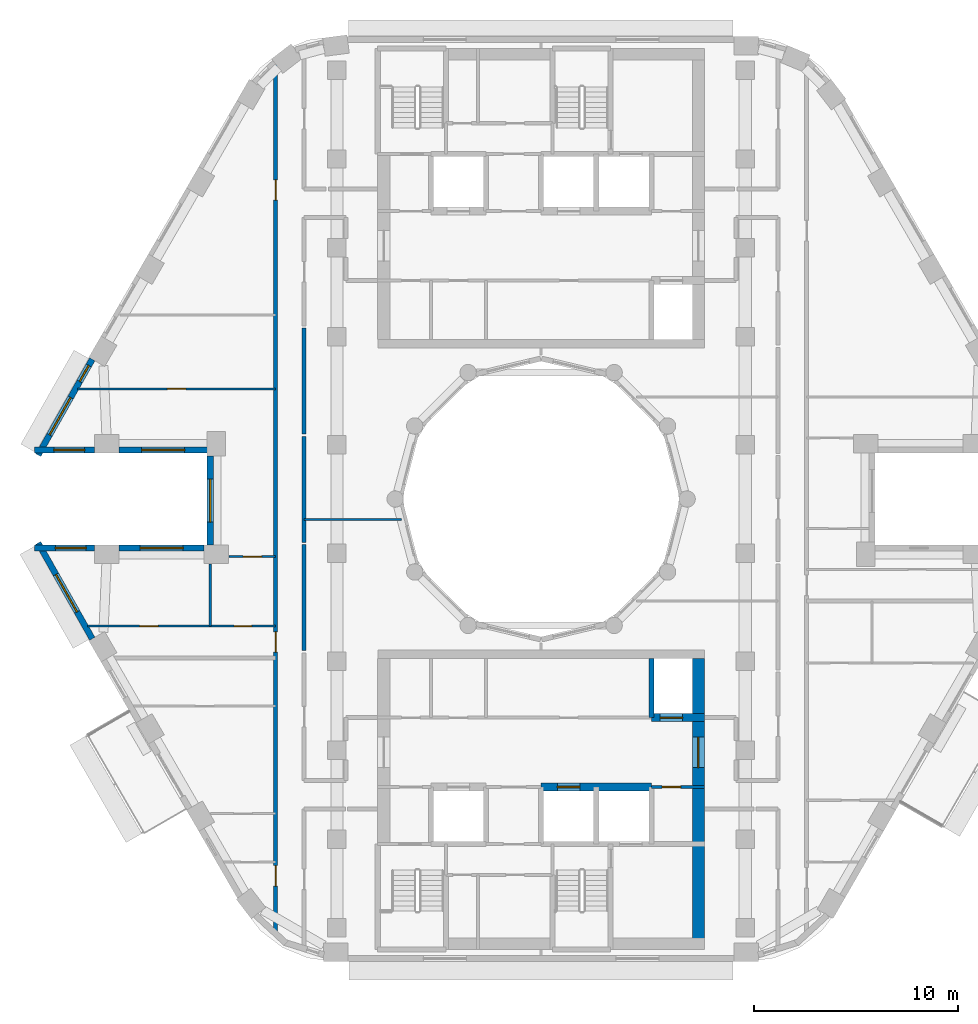
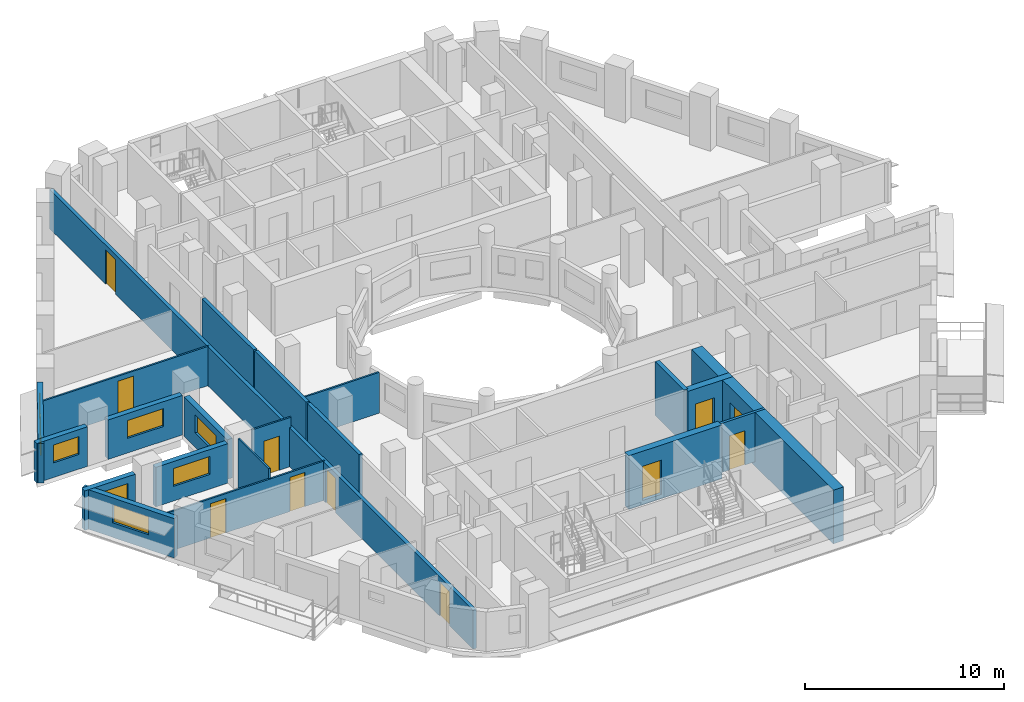
# One storey, part 4 of 15: 21 walls, 11 doors, 8 windows, 19 openings.
"""IFC4 building model written with IfcOpenShell, lengths in metres."""

from ifc_helpers import new_model, si_unit, direction, frame, frame_2d, origin, place, context, subcontext, project, spatial, rectangle, extrude, material, layer, layer_set, type_object, element, fill, save


model = new_model("IFC4")

# Units and contexts
model_context = context("Model", 3, precision=1e-05, world=origin(), true_north=direction((0.0, 1.0)))
body_context = subcontext(model_context, "Body", "Model", "MODEL_VIEW")
ifc_project = project(units=[si_unit("LENGTHUNIT", "METRE"), si_unit("AREAUNIT", "SQUARE_METRE"), si_unit("VOLUMEUNIT", "CUBIC_METRE"), si_unit("PLANEANGLEUNIT", "RADIAN"), si_unit("MASSUNIT", "GRAM", prefix="KILO")], contexts=[model_context])

# Site, building, storey
site_placement = place(None, origin())
site = spatial("IfcSite", under=ifc_project, at=site_placement, CompositionType="ELEMENT")
building_placement = place(site_placement, origin())
building = spatial("IfcBuilding", under=site, at=building_placement, Name="Nakaniwa Court", CompositionType="ELEMENT")
storey_placement = place(building_placement, frame((0.0, 0.0, 183.300048828125)))
storey = spatial("IfcBuildingStorey", under=building, at=storey_placement, Name="L47", CompositionType="ELEMENT", Elevation=183.300048828125)

# Walls
ifc_material_1 = material(Name="Acoustic double stud partition")
ifc_layer_1 = layer(ifc_material_1, 0.199951171875)
ifc_layer_set_1 = layer_set([ifc_layer_1], Name="Acoustic double stud partition")
wall_type_1 = type_object("IfcWallType", Name="Acoustic double stud partition 200", PredefinedType="PARTITIONING", material=ifc_layer_set_1)
for number, where, z_axis, x_axis, name in (
    (1, (68.39990234375, 72.5771484375, 0.0), (0.0, 0.0, 1.0), (0.0, 1.0, 0.0), "Partition PW-097"),
    (2, (68.39990234375, 77.877197265625, 0.0), (0.0, 0.0, 1.0), (0.0, 1.0, 0.0), "Partition PW-098"),
    (3, (68.39990234375, 83.17724609375, 0.0), (0.0, 0.0, 1.0), (0.0, 1.0, 0.0), "Partition PW-099"),
):
    element("IfcWall", number, at=place(storey_placement, frame(where, z_axis=z_axis, x_axis=x_axis)), inside=storey, type_object=wall_type_1, Name=name, PredefinedType="PARTITIONING", context=body_context, shape_type="SweptSolid", body=[
        extrude(rectangle(XDim=5.185546875, YDim=0.199951171875, at=frame_2d((2.5927734375, 0.0))), origin(), (0.0, 0.0, 1.0), 3.02490234375),
    ])

# Wall, openings, doors
wall_1_placement = place(storey_placement, frame((67.0, 58.67431640625, 0.0), z_axis=(0.0, 0.0, 1.0), x_axis=(0.0, 1.0, 0.0)))
wall_1 = element("IfcWall", 4, at=wall_1_placement, inside=storey, type_object=wall_type_1, Name="Partition PW-102", PredefinedType="PARTITIONING", context=body_context, shape_type="SweptSolid", body=[
    extrude(rectangle(XDim=42.591796875, YDim=0.199951171875, at=frame_2d((21.2958984375, 0.0))), origin(), (0.0, 0.0, 1.0), 2.405029296875),
])
opening_1_placement = place(wall_1_placement, frame((2.3759765625, 0.0, 0.0)))
opening_1 = element("IfcOpeningElement", 5, at=opening_1_placement, cuts=wall_1, Name="Opening D-01-03", PredefinedType="OPENING", context=body_context, shape_type="SweptSolid", body=[
    extrude(rectangle(XDim=1.0, YDim=2.10009765625, at=frame_2d((0.5, 1.050048828125))), frame((0.0, 0.10986328125, 0.0), z_axis=(0.0, -1.0, 0.0), x_axis=(1.0, 0.0, 0.0)), (0.0, 0.0, 1.0), 0.219970703125),
])
opening_2_placement = place(wall_1_placement, frame((13.825927734375, 0.0, 0.0)))
opening_2 = element("IfcOpeningElement", 6, at=opening_2_placement, cuts=wall_1, Name="Opening D-01-04", PredefinedType="OPENING", context=body_context, shape_type="SweptSolid", body=[
    extrude(rectangle(XDim=1.0, YDim=2.10009765625, at=frame_2d((0.5, 1.050048828125))), frame((0.0, 0.10986328125, 0.0), z_axis=(0.0, -1.0, 0.0), x_axis=(1.0, 0.0, 0.0)), (0.0, 0.0, 1.0), 0.219970703125),
])
opening_3_placement = place(wall_1_placement, frame((35.95703125, 0.0, 0.0)))
opening_3 = element("IfcOpeningElement", 7, at=opening_3_placement, cuts=wall_1, Name="Opening D-02-10", PredefinedType="OPENING", context=body_context, shape_type="SweptSolid", body=[
    extrude(rectangle(XDim=1.0, YDim=2.10009765625, at=frame_2d((0.5, 1.050048828125))), frame((0.0, 0.10986328125, 0.0), z_axis=(0.0, -1.0, 0.0), x_axis=(1.0, 0.0, 0.0)), (0.0, 0.0, 1.0), 0.219970703125),
])
ifc_material_2 = material(Name="Solid core timber door set, black veneer", Category="wood")
door_type_1 = type_object("IfcDoorType", Name="Flat entrance door 1000", OperationType="NOTDEFINED", PredefinedType="DOOR", material=ifc_material_2)
door_1_placement = place(opening_1_placement, origin())
door_1 = element("IfcDoor", 8, at=door_1_placement, inside=storey, type_object=door_type_1, Name="Door D-01-03 L47-037", OperationType="SINGLE_SWING_RIGHT", OverallHeight=2.10009765625, OverallWidth=1.0, PredefinedType="DOOR", context=body_context, shape_type="SweptSolid", body=[
    extrude(rectangle(XDim=1.0, YDim=2.10009765625, at=frame_2d((0.5, 1.050048828125))), frame((0.0, 0.02490234375, 0.0), z_axis=(0.0, -1.0, 0.0), x_axis=(1.0, 0.0, 0.0)), (0.0, 0.0, 1.0), 0.050048828125),
])
fill(opening_1, door_1)
door_2_placement = place(opening_2_placement, origin())
door_2 = element("IfcDoor", 9, at=door_2_placement, inside=storey, type_object=door_type_1, Name="Door D-01-04 L47-042", OperationType="SINGLE_SWING_LEFT", OverallHeight=2.10009765625, OverallWidth=1.0, PredefinedType="DOOR", context=body_context, shape_type="SweptSolid", body=[
    extrude(rectangle(XDim=1.0, YDim=2.10009765625, at=frame_2d((0.5, 1.050048828125))), frame((0.0, 0.02490234375, 0.0), z_axis=(0.0, -1.0, 0.0), x_axis=(1.0, 0.0, 0.0)), (0.0, 0.0, 1.0), 0.050048828125),
])
fill(opening_2, door_2)
door_type_2 = type_object("IfcDoorType", Name="Internal door 1000", OperationType="NOTDEFINED", PredefinedType="DOOR", material=ifc_material_2)
door_3_placement = place(opening_3_placement, origin())
door_3 = element("IfcDoor", 10, at=door_3_placement, inside=storey, type_object=door_type_2, Name="Door D-02-10 L47-050", OperationType="SINGLE_SWING_LEFT", OverallHeight=2.10009765625, OverallWidth=1.0, PredefinedType="DOOR", context=body_context, shape_type="SweptSolid", body=[
    extrude(rectangle(XDim=1.0, YDim=2.10009765625, at=frame_2d((0.5, 1.050048828125))), frame((0.0, 0.02490234375, 0.0), z_axis=(0.0, -1.0, 0.0), x_axis=(1.0, 0.0, 0.0)), (0.0, 0.0, 1.0), 0.050048828125),
])
fill(opening_3, door_3)

# Wall, openings, windows
ifc_material_3 = material(Name="Charcoal ceramic cladding")
ifc_layer_2 = layer(ifc_material_3, 0.02, Name="Ceramic cladding")
ifc_material_4 = material(Name="Ventilated air cavity")
ifc_layer_3 = layer(ifc_material_4, 0.04, ventilated=True, Name="Ventilated cavity")
ifc_material_5 = material(Name="Mineral wool insulation")
ifc_layer_4 = layer(ifc_material_5, 0.1, Name="Insulation")
ifc_material_6 = material(Name="Cement bonded sheathing board")
ifc_layer_5 = layer(ifc_material_6, 0.012, Name="Sheathing")
ifc_material_7 = material(Name="Cold-formed galvanised stud frame with mineral wool infill")
ifc_layer_6 = layer(ifc_material_7, 0.1, Name="Stud frame")
ifc_material_8 = material(Name="Fire-rated gypsum plasterboard lining")
ifc_layer_7 = layer(ifc_material_8, 0.028, Name="Lining")
ifc_layer_set_2 = layer_set([ifc_layer_2, ifc_layer_3, ifc_layer_4, ifc_layer_5, ifc_layer_6, ifc_layer_7], Name="Charcoal ceramic faced external wall system")
wall_type_2 = type_object("IfcWallType", Name="Black ceramic faced external wall 300", PredefinedType="SOLIDWALL", material=ifc_layer_set_2)
wall_2_placement = place(storey_placement, frame((58.023193359375, 86.843017578125, 0.0), z_axis=(0.0, 0.0, 1.0), x_axis=(-0.492033360928, -0.870576344575, 0.0)))
wall_2 = element("IfcWall", 11, at=wall_2_placement, inside=storey, type_object=wall_type_2, Name="L47 external wall 14", PredefinedType="SOLIDWALL", context=body_context, shape_type="SweptSolid", body=[
    extrude(rectangle(XDim=5.38671875, YDim=0.300048828125, at=frame_2d((2.693359375, 0.0))), origin(), (0.0, 0.0, 1.0), 2.425048828125),
])
opening_4_placement = place(wall_2_placement, frame((0.346923828125, 0.0, 0.89990234375)))
opening_4 = element("IfcOpeningElement", 12, at=opening_4_placement, cuts=wall_2, Name="Opening W9.16", PredefinedType="OPENING", context=body_context, shape_type="SweptSolid", body=[
    extrude(rectangle(XDim=0.89990234375, YDim=1.10009765625, at=frame_2d((0.449951171875, 0.550048828125))), frame((0.0, 0.159912109375, 0.0), z_axis=(0.0, -1.0, 0.0), x_axis=(1.0, 0.0, 0.0)), (0.0, 0.0, 1.0), 0.320068359375),
])
opening_5_placement = place(wall_2_placement, frame((2.15185546875, 0.0, 0.89990234375)))
opening_5 = element("IfcOpeningElement", 13, at=opening_5_placement, cuts=wall_2, Name="Opening W7.17", PredefinedType="OPENING", context=body_context, shape_type="SweptSolid", body=[
    extrude(rectangle(XDim=2.10009765625, YDim=1.10009765625, at=frame_2d((1.050048828125, 0.550048828125))), frame((0.0, 0.159912109375, 0.0), z_axis=(0.0, -1.0, 0.0), x_axis=(1.0, 0.0, 0.0)), (0.0, 0.0, 1.0), 0.320068359375),
])
ifc_material_9 = material(Name="Black anodised aluminium frame with dark low-E laminated double glazing", Category="aluminium")
window_type_1 = type_object("IfcWindowType", Name="Dark glass window 2100x1100 sill 900", PartitioningType="SINGLE_PANEL", PredefinedType="WINDOW", material=ifc_material_9)
window_1_placement = place(opening_5_placement, origin())
window_1 = element("IfcWindow", 14, at=window_1_placement, inside=storey, type_object=window_type_1, Name="L47 living window 14-1", OverallHeight=1.10009765625, OverallWidth=2.10009765625, PartitioningType="SINGLE_PANEL", PredefinedType="WINDOW", context=body_context, shape_type="SweptSolid", body=[
    extrude(rectangle(XDim=2.10009765625, YDim=1.10009765625, at=frame_2d((1.050048828125, 0.550048828125))), frame((0.0, 0.030029296875, 0.0), z_axis=(0.0, -1.0, 0.0), x_axis=(1.0, 0.0, 0.0)), (0.0, 0.0, 1.0), 0.06005859375),
])
fill(opening_5, window_1)
window_type_2 = type_object("IfcWindowType", Name="Dark glass window 900x1100 sill 900", PartitioningType="SINGLE_PANEL", PredefinedType="WINDOW", material=ifc_material_9)
window_2_placement = place(opening_4_placement, origin())
window_2 = element("IfcWindow", 15, at=window_2_placement, inside=storey, type_object=window_type_2, Name="L47 habitable room window 14-0", OverallHeight=1.10009765625, OverallWidth=0.89990234375, PartitioningType="SINGLE_PANEL", PredefinedType="WINDOW", context=body_context, shape_type="SweptSolid", body=[
    extrude(rectangle(XDim=0.89990234375, YDim=1.10009765625, at=frame_2d((0.449951171875, 0.550048828125))), frame((0.0, 0.030029296875, 0.0), z_axis=(0.0, -1.0, 0.0), x_axis=(1.0, 0.0, 0.0)), (0.0, 0.0, 1.0), 0.06005859375),
])
fill(opening_4, window_2)

# Wall, opening, window
wall_3_placement = place(storey_placement, frame((55.2021484375, 82.39990234375, 0.0), z_axis=(0.0, 0.0, 1.0), x_axis=(1.0, 0.0, 0.0)))
wall_3 = element("IfcWall", 16, at=wall_3_placement, inside=storey, type_object=wall_type_2, Name="L47 external wall 15", PredefinedType="SOLIDWALL", context=body_context, shape_type="SweptSolid", body=[
    extrude(rectangle(XDim=2.937744140625, YDim=0.300048828125, at=frame_2d((1.46875, 0.0))), origin(), (0.0, 0.0, 1.0), 2.425048828125),
])
opening_6_placement = place(wall_3_placement, frame((0.944091796875, 0.0, 0.89990234375)))
opening_6 = element("IfcOpeningElement", 17, at=opening_6_placement, cuts=wall_3, Name="Opening W5.18", PredefinedType="OPENING", context=body_context, shape_type="SweptSolid", body=[
    extrude(rectangle(XDim=1.5, YDim=1.10009765625, at=frame_2d((0.75, 0.550048828125))), frame((0.0, 0.159912109375, 0.0), z_axis=(0.0, -1.0, 0.0), x_axis=(1.0, 0.0, 0.0)), (0.0, 0.0, 1.0), 0.320068359375),
])
window_type_3 = type_object("IfcWindowType", Name="Dark glass window 1500x1100 sill 900", PartitioningType="SINGLE_PANEL", PredefinedType="WINDOW", material=ifc_material_9)
window_3_placement = place(opening_6_placement, origin())
window_3 = element("IfcWindow", 18, at=window_3_placement, inside=storey, type_object=window_type_3, Name="L47 living window 15-0", OverallHeight=1.10009765625, OverallWidth=1.5, PartitioningType="SINGLE_PANEL", PredefinedType="WINDOW", context=body_context, shape_type="SweptSolid", body=[
    extrude(rectangle(XDim=1.5, YDim=1.10009765625, at=frame_2d((0.75, 0.550048828125))), frame((0.0, 0.030029296875, 0.0), z_axis=(0.0, -1.0, 0.0), x_axis=(1.0, 0.0, 0.0)), (0.0, 0.0, 1.0), 0.06005859375),
])
fill(opening_6, window_3)

wall_4_placement = place(storey_placement, frame((59.33203125, 82.39990234375, 0.0), z_axis=(0.0, 0.0, 1.0), x_axis=(1.0, 0.0, 0.0)))
wall_4 = element("IfcWall", 19, at=wall_4_placement, inside=storey, type_object=wall_type_2, Name="L47 external wall 16", PredefinedType="SOLIDWALL", context=body_context, shape_type="SweptSolid", body=[
    extrude(rectangle(XDim=4.322509765625, YDim=0.300048828125, at=frame_2d((2.1611328125, 0.0))), origin(), (0.0, 0.0, 1.0), 2.425048828125),
])
opening_7_placement = place(wall_4_placement, frame((1.111083984375, 0.0, 0.89990234375)))
opening_7 = element("IfcOpeningElement", 20, at=opening_7_placement, cuts=wall_4, Name="Opening W7.19", PredefinedType="OPENING", context=body_context, shape_type="SweptSolid", body=[
    extrude(rectangle(XDim=2.10009765625, YDim=1.10009765625, at=frame_2d((1.050048828125, 0.550048828125))), frame((0.0, 0.159912109375, 0.0), z_axis=(0.0, -1.0, 0.0), x_axis=(1.0, 0.0, 0.0)), (0.0, 0.0, 1.0), 0.320068359375),
])
window_4_placement = place(opening_7_placement, origin())
window_4 = element("IfcWindow", 21, at=window_4_placement, inside=storey, type_object=window_type_1, Name="L47 living window 16-0", OverallHeight=1.10009765625, OverallWidth=2.10009765625, PartitioningType="SINGLE_PANEL", PredefinedType="WINDOW", context=body_context, shape_type="SweptSolid", body=[
    extrude(rectangle(XDim=2.10009765625, YDim=1.10009765625, at=frame_2d((1.050048828125, 0.550048828125))), frame((0.0, 0.030029296875, 0.0), z_axis=(0.0, -1.0, 0.0), x_axis=(1.0, 0.0, 0.0)), (0.0, 0.0, 1.0), 0.06005859375),
])
fill(opening_7, window_4)

wall_5_placement = place(storey_placement, frame((63.800537109375, 82.10400390625, 0.0), z_axis=(0.0, 0.0, 1.0), x_axis=(0.0, -1.0, 0.0)))
wall_5 = element("IfcWall", 22, at=wall_5_placement, inside=storey, type_object=wall_type_2, Name="L47 external wall 17", PredefinedType="SOLIDWALL", context=body_context, shape_type="SweptSolid", body=[
    extrude(rectangle(XDim=4.35791015625, YDim=0.300048828125, at=frame_2d((2.178955078125, 0.0))), origin(), (0.0, 0.0, 1.0), 2.425048828125),
])
opening_8_placement = place(wall_5_placement, frame((1.12890625, 0.0, 0.89990234375)))
opening_8 = element("IfcOpeningElement", 23, at=opening_8_placement, cuts=wall_5, Name="Opening W7.20", PredefinedType="OPENING", context=body_context, shape_type="SweptSolid", body=[
    extrude(rectangle(XDim=2.10009765625, YDim=1.10009765625, at=frame_2d((1.050048828125, 0.550048828125))), frame((0.0, 0.159912109375, 0.0), z_axis=(0.0, -1.0, 0.0), x_axis=(1.0, 0.0, 0.0)), (0.0, 0.0, 1.0), 0.320068359375),
])
window_5_placement = place(opening_8_placement, origin())
window_5 = element("IfcWindow", 24, at=window_5_placement, inside=storey, type_object=window_type_1, Name="L47 living window 17-0", OverallHeight=1.10009765625, OverallWidth=2.10009765625, PartitioningType="SINGLE_PANEL", PredefinedType="WINDOW", context=body_context, shape_type="SweptSolid", body=[
    extrude(rectangle(XDim=2.10009765625, YDim=1.10009765625, at=frame_2d((1.050048828125, 0.550048828125))), frame((0.0, 0.030029296875, 0.0), z_axis=(0.0, -1.0, 0.0), x_axis=(1.0, 0.0, 0.0)), (0.0, 0.0, 1.0), 0.06005859375),
])
fill(opening_8, window_5)

wall_6_placement = place(storey_placement, frame((63.50439453125, 77.60009765625, 0.0), z_axis=(0.0, 0.0, 1.0), x_axis=(-1.0, 0.0, 0.0)))
wall_6 = element("IfcWall", 25, at=wall_6_placement, inside=storey, type_object=wall_type_2, Name="L47 external wall 18", PredefinedType="SOLIDWALL", context=body_context, shape_type="SweptSolid", body=[
    extrude(rectangle(XDim=4.17236328125, YDim=0.300048828125, at=frame_2d((2.086181640625, 0.0))), origin(), (0.0, 0.0, 1.0), 2.425048828125),
])
opening_9_placement = place(wall_6_placement, frame((1.036376953125, 0.0, 0.89990234375)))
opening_9 = element("IfcOpeningElement", 26, at=opening_9_placement, cuts=wall_6, Name="Opening W7.21", PredefinedType="OPENING", context=body_context, shape_type="SweptSolid", body=[
    extrude(rectangle(XDim=2.10009765625, YDim=1.10009765625, at=frame_2d((1.050048828125, 0.550048828125))), frame((0.0, 0.159912109375, 0.0), z_axis=(0.0, -1.0, 0.0), x_axis=(1.0, 0.0, 0.0)), (0.0, 0.0, 1.0), 0.320068359375),
])
window_6_placement = place(opening_9_placement, origin())
window_6 = element("IfcWindow", 27, at=window_6_placement, inside=storey, type_object=window_type_1, Name="L47 habitable room window 18-0", OverallHeight=1.10009765625, OverallWidth=2.10009765625, PartitioningType="SINGLE_PANEL", PredefinedType="WINDOW", context=body_context, shape_type="SweptSolid", body=[
    extrude(rectangle(XDim=2.10009765625, YDim=1.10009765625, at=frame_2d((1.050048828125, 0.550048828125))), frame((0.0, 0.030029296875, 0.0), z_axis=(0.0, -1.0, 0.0), x_axis=(1.0, 0.0, 0.0)), (0.0, 0.0, 1.0), 0.06005859375),
])
fill(opening_9, window_6)

wall_7_placement = place(storey_placement, frame((58.139892578125, 77.60009765625, 0.0), z_axis=(0.0, 0.0, 1.0), x_axis=(-1.0, 0.0, 0.0)))
wall_7 = element("IfcWall", 28, at=wall_7_placement, inside=storey, type_object=wall_type_2, Name="L47 external wall 19", PredefinedType="SOLIDWALL", context=body_context, shape_type="SweptSolid", body=[
    extrude(rectangle(XDim=2.937744140625, YDim=0.300048828125, at=frame_2d((1.46875, 0.0))), origin(), (0.0, 0.0, 1.0), 2.425048828125),
])
opening_10_placement = place(wall_7_placement, frame((0.42041015625, 0.0, 0.89990234375)))
opening_10 = element("IfcOpeningElement", 29, at=opening_10_placement, cuts=wall_7, Name="Opening W5.22", PredefinedType="OPENING", context=body_context, shape_type="SweptSolid", body=[
    extrude(rectangle(XDim=1.5, YDim=1.10009765625, at=frame_2d((0.75, 0.550048828125))), frame((0.0, 0.159912109375, 0.0), z_axis=(0.0, -1.0, 0.0), x_axis=(1.0, 0.0, 0.0)), (0.0, 0.0, 1.0), 0.320068359375),
])
window_7_placement = place(opening_10_placement, origin())
window_7 = element("IfcWindow", 30, at=window_7_placement, inside=storey, type_object=window_type_3, Name="L47 habitable room window 19-0", OverallHeight=1.10009765625, OverallWidth=1.5, PartitioningType="SINGLE_PANEL", PredefinedType="WINDOW", context=body_context, shape_type="SweptSolid", body=[
    extrude(rectangle(XDim=1.5, YDim=1.10009765625, at=frame_2d((0.75, 0.550048828125))), frame((0.0, 0.030029296875, 0.0), z_axis=(0.0, -1.0, 0.0), x_axis=(1.0, 0.0, 0.0)), (0.0, 0.0, 1.0), 0.06005859375),
])
fill(opening_10, window_7)

wall_8_placement = place(storey_placement, frame((55.372802734375, 77.846435546875, 0.0), z_axis=(0.0, 0.0, 1.0), x_axis=(0.492033360928, -0.870576344575, 0.0)))
wall_8 = element("IfcWall", 31, at=wall_8_placement, inside=storey, type_object=wall_type_2, Name="L47 external wall 20", PredefinedType="SOLIDWALL", context=body_context, shape_type="SweptSolid", body=[
    extrude(rectangle(XDim=5.38671875, YDim=0.300048828125, at=frame_2d((2.693359375, 0.0))), origin(), (0.0, 0.0, 1.0), 2.425048828125),
])
opening_11_placement = place(wall_8_placement, frame((1.77001953125, 0.0, 0.89990234375)))
opening_11 = element("IfcOpeningElement", 32, at=opening_11_placement, cuts=wall_8, Name="Opening W7.23", PredefinedType="OPENING", context=body_context, shape_type="SweptSolid", body=[
    extrude(rectangle(XDim=2.10009765625, YDim=1.10009765625, at=frame_2d((1.050048828125, 0.550048828125))), frame((0.0, 0.159912109375, 0.0), z_axis=(0.0, -1.0, 0.0), x_axis=(1.0, 0.0, 0.0)), (0.0, 0.0, 1.0), 0.320068359375),
])
window_8_placement = place(opening_11_placement, origin())
window_8 = element("IfcWindow", 33, at=window_8_placement, inside=storey, type_object=window_type_1, Name="L47 habitable room window 20-0", OverallHeight=1.10009765625, OverallWidth=2.10009765625, PartitioningType="SINGLE_PANEL", PredefinedType="WINDOW", context=body_context, shape_type="SweptSolid", body=[
    extrude(rectangle(XDim=2.10009765625, YDim=1.10009765625, at=frame_2d((1.050048828125, 0.550048828125))), frame((0.0, 0.030029296875, 0.0), z_axis=(0.0, -1.0, 0.0), x_axis=(1.0, 0.0, 0.0)), (0.0, 0.0, 1.0), 0.06005859375),
])
fill(opening_11, window_8)

# Wall, opening, door
ifc_material_10 = material(Name="Blockwork partition", Category="masonry")
ifc_layer_8 = layer(ifc_material_10, 0.14990234375)
ifc_layer_set_3 = layer_set([ifc_layer_8], Name="Blockwork partition")
wall_type_3 = type_object("IfcWallType", Name="Blockwork partition 150", PredefinedType="PARTITIONING", material=ifc_layer_set_3)
wall_9_placement = place(storey_placement, frame((88.0, 65.89990234375, 0.0), z_axis=(0.0, 0.0, 1.0), x_axis=(-1.0, 0.0, 0.0)))
wall_9 = element("IfcWall", 34, at=wall_9_placement, inside=storey, type_object=wall_type_3, Name="Partition PW-044", PredefinedType="PARTITIONING", context=body_context, shape_type="SweptSolid", body=[
    extrude(rectangle(XDim=2.60302734375, YDim=0.14990234375, at=frame_2d((1.301513671875, 0.0))), origin(), (0.0, 0.0, 1.0), 3.02490234375),
])
opening_12_placement = place(wall_9_placement, frame((1.175048828125, 0.0, 0.0)))
opening_12 = element("IfcOpeningElement", 35, at=opening_12_placement, cuts=wall_9, Name="Opening D-05-10", PredefinedType="OPENING", context=body_context, shape_type="SweptSolid", body=[
    extrude(rectangle(XDim=0.89990234375, YDim=2.10009765625, at=frame_2d((0.449951171875, 1.050048828125))), frame((0.0, 0.0849609375, 0.0), z_axis=(0.0, -1.0, 0.0), x_axis=(1.0, 0.0, 0.0)), (0.0, 0.0, 1.0), 0.169921875),
])
ifc_material_11 = material(Name="Fire rated steel door set", Category="steel")
door_type_3 = type_object("IfcDoorType", Name="Service room door 900", OperationType="NOTDEFINED", PredefinedType="DOOR", material=ifc_material_11)
door_4_placement = place(opening_12_placement, origin())
door_4 = element("IfcDoor", 36, at=door_4_placement, inside=storey, type_object=door_type_3, Name="Door D-05-10 L47-017", OperationType="SINGLE_SWING_RIGHT", OverallHeight=2.10009765625, OverallWidth=0.89990234375, PredefinedType="DOOR", context=body_context, shape_type="SweptSolid", body=[
    extrude(rectangle(XDim=0.89990234375, YDim=2.10009765625, at=frame_2d((0.449951171875, 1.050048828125))), frame((0.0, 0.02490234375, 0.0), z_axis=(0.0, -1.0, 0.0), x_axis=(1.0, 0.0, 0.0)), (0.0, 0.0, 1.0), 0.050048828125),
])
fill(opening_12, door_4)

ifc_material_12 = material(Name="Concrete C80/100", Category="concrete")
ifc_layer_9 = layer(ifc_material_12, 0.60009765625)
ifc_layer_set_4 = layer_set([ifc_layer_9], Name="Concrete C80/100")
wall_type_4 = type_object("IfcWallType", Name="Concrete core side wall 600 C80", PredefinedType="SHEAR", material=ifc_layer_set_4)
wall_10_placement = place(storey_placement, frame((87.699951171875, 72.199951171875, -0.275146484375), z_axis=(0.0, 0.0, 1.0), x_axis=(0.0, -1.0, 0.0)))
wall_10 = element("IfcWall", 37, at=wall_10_placement, inside=storey, type_object=wall_type_4, Name="Core wall SW-40", PredefinedType="SHEAR", context=body_context, shape_type="SweptSolid", body=[
    extrude(rectangle(XDim=14.25, YDim=0.60009765625, at=frame_2d((7.125, 0.0))), origin(), (0.0, 0.0, 1.0), 3.300048828125),
])
opening_13_placement = place(wall_10_placement, frame((3.85205078125, 0.0, 0.27490234375)))
opening_13 = element("IfcOpeningElement", 38, at=opening_13_placement, cuts=wall_10, Name="Opening D-07-03", PredefinedType="OPENING", context=body_context, shape_type="SweptSolid", body=[
    extrude(rectangle(XDim=1.5, YDim=2.10009765625, at=frame_2d((0.75, 1.050048828125))), frame((0.0, 0.31005859375, 0.0), z_axis=(0.0, -1.0, 0.0), x_axis=(1.0, 0.0, 0.0)), (0.0, 0.0, 1.0), 0.6201171875),
])
ifc_material_13 = material(Name="Glazed fire rated steel double door set", Category="steel")
door_type_4 = type_object("IfcDoorType", Name="Lobby double door 1500", OperationType="NOTDEFINED", PredefinedType="DOOR", material=ifc_material_13)
door_5_placement = place(opening_13_placement, origin())
door_5 = element("IfcDoor", 39, at=door_5_placement, inside=storey, type_object=door_type_4, Name="Door D-07-03 L47-054", OperationType="DOUBLE_DOOR_SINGLE_SWING", OverallHeight=2.10009765625, OverallWidth=1.5, PredefinedType="DOOR", context=body_context, shape_type="SweptSolid", body=[
    extrude(rectangle(XDim=1.5, YDim=2.10009765625, at=frame_2d((0.75, 1.050048828125))), frame((0.0, 0.02490234375, 0.0), z_axis=(0.0, -1.0, 0.0), x_axis=(1.0, 0.0, 0.0)), (0.0, 0.0, 1.0), 0.050048828125),
])
fill(opening_13, door_5)

ifc_layer_10 = layer(ifc_material_12, 0.39990234375)
ifc_layer_set_5 = layer_set([ifc_layer_10], Name="Concrete C80/100")
wall_type_5 = type_object("IfcWallType", Name="Concrete core spine wall 400 C80", PredefinedType="SHEAR", material=ifc_layer_set_5)
wall_11_placement = place(storey_placement, frame((85.39990234375, 69.300048828125, -0.275146484375), z_axis=(0.0, 0.0, 1.0), x_axis=(1.0, 0.0, 0.0)))
wall_11 = element("IfcWall", 40, at=wall_11_placement, inside=storey, type_object=wall_type_5, Name="Core wall SW-39", PredefinedType="SHEAR", context=body_context, shape_type="SweptSolid", body=[
    extrude(rectangle(XDim=2.60009765625, YDim=0.39990234375, at=frame_2d((1.300048828125, 0.0))), origin(), (0.0, 0.0, 1.0), 3.300048828125),
])
opening_14_placement = place(wall_11_placement, frame((0.425048828125, 0.0, 0.27490234375)))
opening_14 = element("IfcOpeningElement", 41, at=opening_14_placement, cuts=wall_11, Name="Opening LD05", PredefinedType="OPENING", context=body_context, shape_type="SweptSolid", body=[
    extrude(rectangle(XDim=1.10009765625, YDim=2.10009765625, at=frame_2d((0.550048828125, 1.050048828125))), frame((0.0, 0.2099609375, 0.0), z_axis=(0.0, -1.0, 0.0), x_axis=(1.0, 0.0, 0.0)), (0.0, 0.0, 1.0), 0.419921875),
])
ifc_material_14 = material(Name="Stainless steel sliding lift landing door", Category="steel")
door_type_5 = type_object("IfcDoorType", Name="Lift landing door 1100", OperationType="NOTDEFINED", PredefinedType="DOOR", material=ifc_material_14)
door_6_placement = place(opening_14_placement, origin())
door_6 = element("IfcDoor", 42, at=door_6_placement, inside=storey, type_object=door_type_5, Name="Lift landing door LD05 L47-005", OperationType="SLIDING_TO_LEFT", OverallHeight=2.10009765625, OverallWidth=1.10009765625, PredefinedType="DOOR", context=body_context, shape_type="SweptSolid", body=[
    extrude(rectangle(XDim=1.10009765625, YDim=2.10009765625, at=frame_2d((0.550048828125, 1.050048828125))), frame((0.0, 0.02490234375, 0.0), z_axis=(0.0, -1.0, 0.0), x_axis=(1.0, 0.0, 0.0)), (0.0, 0.0, 1.0), 0.050048828125),
])
fill(opening_14, door_6)

wall_12_placement = place(storey_placement, frame((79.9970703125, 65.89990234375, -0.275146484375), z_axis=(0.0, 0.0, 1.0), x_axis=(1.0, 0.0, 0.0)))
wall_12 = element("IfcWall", 43, at=wall_12_placement, inside=storey, type_object=wall_type_5, Name="Core wall SW-46", PredefinedType="SHEAR", context=body_context, shape_type="SweptSolid", body=[
    extrude(rectangle(XDim=5.406005859375, YDim=0.39990234375, at=frame_2d((2.703125, 0.0))), origin(), (0.0, 0.0, 1.0), 3.300048828125),
])
opening_15_placement = place(wall_12_placement, frame((0.802978515625, 0.0, 0.27490234375)))
opening_15 = element("IfcOpeningElement", 44, at=opening_15_placement, cuts=wall_12, Name="Opening LD07", PredefinedType="OPENING", context=body_context, shape_type="SweptSolid", body=[
    extrude(rectangle(XDim=1.10009765625, YDim=2.10009765625, at=frame_2d((0.550048828125, 1.050048828125))), frame((0.0, 0.2099609375, 0.0), z_axis=(0.0, -1.0, 0.0), x_axis=(1.0, 0.0, 0.0)), (0.0, 0.0, 1.0), 0.419921875),
])
door_7_placement = place(opening_15_placement, origin())
door_7 = element("IfcDoor", 45, at=door_7_placement, inside=storey, type_object=door_type_5, Name="Lift landing door LD07 L47-007", OperationType="SLIDING_TO_LEFT", OverallHeight=2.10009765625, OverallWidth=1.10009765625, PredefinedType="DOOR", context=body_context, shape_type="SweptSolid", body=[
    extrude(rectangle(XDim=1.10009765625, YDim=2.10009765625, at=frame_2d((0.550048828125, 1.050048828125))), frame((0.0, 0.02490234375, 0.0), z_axis=(0.0, -1.0, 0.0), x_axis=(1.0, 0.0, 0.0)), (0.0, 0.0, 1.0), 0.050048828125),
])
fill(opening_15, door_7)

# Walls
ifc_layer_11 = layer(ifc_material_12, 0.25)
ifc_layer_set_6 = layer_set([ifc_layer_11], Name="Concrete C80/100")
wall_type_6 = type_object("IfcWallType", Name="Concrete shaft wall 250 C80", PredefinedType="SHEAR", material=ifc_layer_set_6)
wall_13_placement = place(storey_placement, frame((85.39990234375, 69.300048828125, -0.275146484375), z_axis=(0.0, 0.0, 1.0), x_axis=(0.0, 1.0, 0.0)))
element("IfcWall", 46, at=wall_13_placement, inside=storey, type_object=wall_type_6, Name="Core wall SW-38", PredefinedType="SHEAR", context=body_context, shape_type="SweptSolid", body=[
    extrude(rectangle(XDim=2.89990234375, YDim=0.25, at=frame_2d((1.449951171875, 0.0))), origin(), (0.0, 0.0, 1.0), 3.300048828125),
])
ifc_material_15 = material(Name="Single stud plasterboard partition")
ifc_layer_12 = layer(ifc_material_15, 0.10009765625)
ifc_layer_set_7 = layer_set([ifc_layer_12], Name="Single stud plasterboard partition")
wall_type_7 = type_object("IfcWallType", Name="Single stud plasterboard partition 100", PredefinedType="PARTITIONING", material=ifc_layer_set_7)
wall_14_placement = place(storey_placement, frame((68.40087890625, 79.0, 0.0), z_axis=(0.0, 0.0, 1.0), x_axis=(1.0, 0.0, 0.0)))
element("IfcWall", 47, at=wall_14_placement, inside=storey, type_object=wall_type_7, Name="Partition PW-126", PredefinedType="PARTITIONING", context=body_context, shape_type="SweptSolid", body=[
    extrude(rectangle(XDim=4.765869140625, YDim=0.10009765625, at=frame_2d((2.3828125, 0.0))), origin(), (0.0, 0.0, 1.0), 2.5048828125),
])

# Wall, openings, doors
wall_15_placement = place(storey_placement, frame((57.786376953125, 73.77490234375, 0.0), z_axis=(0.0, 0.0, 1.0), x_axis=(1.0, 0.0, 0.0)))
wall_15 = element("IfcWall", 48, at=wall_15_placement, inside=storey, type_object=wall_type_7, Name="Partition PW-127", PredefinedType="PARTITIONING", context=body_context, shape_type="SweptSolid", body=[
    extrude(rectangle(XDim=9.212646484375, YDim=0.10009765625, at=frame_2d((4.6064453125, 0.0))), origin(), (0.0, 0.0, 1.0), 2.405029296875),
])
opening_16_placement = place(wall_15_placement, frame((7.18798828125, 0.0, 0.0)))
opening_16 = element("IfcOpeningElement", 49, at=opening_16_placement, cuts=wall_15, Name="Opening D-03-04", PredefinedType="OPENING", context=body_context, shape_type="SweptSolid", body=[
    extrude(rectangle(XDim=0.85009765625, YDim=2.10009765625, at=frame_2d((0.425048828125, 1.050048828125))), frame((0.0, 0.06005859375, 0.0), z_axis=(0.0, -1.0, 0.0), x_axis=(1.0, 0.0, 0.0)), (0.0, 0.0, 1.0), 0.1201171875),
])
opening_17_placement = place(wall_15_placement, frame((2.555908203125, 0.0, 0.0)))
opening_17 = element("IfcOpeningElement", 50, at=opening_17_placement, cuts=wall_15, Name="Opening D-33-08", PredefinedType="OPENING", context=body_context, shape_type="SweptSolid", body=[
    extrude(rectangle(XDim=0.89990234375, YDim=2.10009765625, at=frame_2d((0.449951171875, 1.050048828125))), frame((0.0, 0.06005859375, 0.0), z_axis=(0.0, -1.0, 0.0), x_axis=(1.0, 0.0, 0.0)), (0.0, 0.0, 1.0), 0.1201171875),
])
ifc_material_16 = material(Name="Moisture sealed timber door set", Category="wood")
door_type_6 = type_object("IfcDoorType", Name="Bathroom door 850", OperationType="NOTDEFINED", PredefinedType="DOOR", material=ifc_material_16)
door_8_placement = place(opening_16_placement, origin())
door_8 = element("IfcDoor", 51, at=door_8_placement, inside=storey, type_object=door_type_6, Name="Door D-03-04 L47-043", OperationType="SINGLE_SWING_RIGHT", OverallHeight=2.10009765625, OverallWidth=0.85009765625, PredefinedType="DOOR", context=body_context, shape_type="SweptSolid", body=[
    extrude(rectangle(XDim=0.85009765625, YDim=2.10009765625, at=frame_2d((0.425048828125, 1.050048828125))), frame((0.0, 0.02490234375, 0.0), z_axis=(0.0, -1.0, 0.0), x_axis=(1.0, 0.0, 0.0)), (0.0, 0.0, 1.0), 0.050048828125),
])
fill(opening_16, door_8)
door_type_7 = type_object("IfcDoorType", Name="Internal door 900", OperationType="NOTDEFINED", PredefinedType="DOOR", material=ifc_material_2)
door_9_placement = place(opening_17_placement, origin())
door_9 = element("IfcDoor", 52, at=door_9_placement, inside=storey, type_object=door_type_7, Name="Door D-33-08 L47-044", OperationType="SINGLE_SWING_LEFT", OverallHeight=2.10009765625, OverallWidth=0.89990234375, PredefinedType="DOOR", context=body_context, shape_type="SweptSolid", body=[
    extrude(rectangle(XDim=0.89990234375, YDim=2.10009765625, at=frame_2d((0.449951171875, 1.050048828125))), frame((0.0, 0.02490234375, 0.0), z_axis=(0.0, -1.0, 0.0), x_axis=(1.0, 0.0, 0.0)), (0.0, 0.0, 1.0), 0.050048828125),
])
fill(opening_17, door_9)

# Wall
wall_16_placement = place(storey_placement, frame((63.799072265625, 73.77490234375, 0.0), z_axis=(0.0, 0.0, 1.0), x_axis=(0.0, 1.0, 0.0)))
element("IfcWall", 53, at=wall_16_placement, inside=storey, type_object=wall_type_7, Name="Partition PW-128", PredefinedType="PARTITIONING", context=body_context, shape_type="SweptSolid", body=[
    extrude(rectangle(XDim=3.05517578125, YDim=0.10009765625, at=frame_2d((1.527587890625, 0.0))), origin(), (0.0, 0.0, 1.0), 3.02490234375),
])

# Wall, opening, door
wall_17_placement = place(storey_placement, frame((64.720458984375, 77.175048828125, 0.0), z_axis=(0.0, 0.0, 1.0), x_axis=(1.0, 0.0, 0.0)))
wall_17 = element("IfcWall", 54, at=wall_17_placement, inside=storey, type_object=wall_type_7, Name="Partition PW-129", PredefinedType="PARTITIONING", context=body_context, shape_type="SweptSolid", body=[
    extrude(rectangle(XDim=2.278564453125, YDim=0.10009765625, at=frame_2d((1.13916015625, 0.0))), origin(), (0.0, 0.0, 1.0), 3.02490234375),
])
opening_18_placement = place(wall_17_placement, frame((0.68896484375, 0.0, 0.0)))
opening_18 = element("IfcOpeningElement", 55, at=opening_18_placement, cuts=wall_17, Name="Opening D-33-09", PredefinedType="OPENING", context=body_context, shape_type="SweptSolid", body=[
    extrude(rectangle(XDim=0.89990234375, YDim=2.10009765625, at=frame_2d((0.449951171875, 1.050048828125))), frame((0.0, 0.06005859375, 0.0), z_axis=(0.0, -1.0, 0.0), x_axis=(1.0, 0.0, 0.0)), (0.0, 0.0, 1.0), 0.1201171875),
])
door_10_placement = place(opening_18_placement, origin())
door_10 = element("IfcDoor", 56, at=door_10_placement, inside=storey, type_object=door_type_7, Name="Door D-33-09 L47-045", OperationType="SINGLE_SWING_RIGHT", OverallHeight=2.10009765625, OverallWidth=0.89990234375, PredefinedType="DOOR", context=body_context, shape_type="SweptSolid", body=[
    extrude(rectangle(XDim=0.89990234375, YDim=2.10009765625, at=frame_2d((0.449951171875, 1.050048828125))), frame((0.0, 0.02490234375, 0.0), z_axis=(0.0, -1.0, 0.0), x_axis=(1.0, 0.0, 0.0)), (0.0, 0.0, 1.0), 0.050048828125),
])
fill(opening_18, door_10)

wall_18_placement = place(storey_placement, frame((57.306640625, 85.39404296875, 0.0), z_axis=(0.0, 0.0, 1.0), x_axis=(1.0, 0.0, 0.0)))
wall_18 = element("IfcWall", 57, at=wall_18_placement, inside=storey, type_object=wall_type_7, Name="Partition PW-130", PredefinedType="PARTITIONING", context=body_context, shape_type="SweptSolid", body=[
    extrude(rectangle(XDim=9.6923828125, YDim=0.10009765625, at=frame_2d((4.84619140625, 0.0))), origin(), (0.0, 0.0, 1.0), 2.405029296875),
])
opening_19_placement = place(wall_18_placement, frame((4.39599609375, 0.0, 0.0)))
opening_19 = element("IfcOpeningElement", 58, at=opening_19_placement, cuts=wall_18, Name="Opening D-33-10", PredefinedType="OPENING", context=body_context, shape_type="SweptSolid", body=[
    extrude(rectangle(XDim=0.89990234375, YDim=2.10009765625, at=frame_2d((0.449951171875, 1.050048828125))), frame((0.0, 0.06005859375, 0.0), z_axis=(0.0, -1.0, 0.0), x_axis=(1.0, 0.0, 0.0)), (0.0, 0.0, 1.0), 0.1201171875),
])
door_11_placement = place(opening_19_placement, origin())
door_11 = element("IfcDoor", 59, at=door_11_placement, inside=storey, type_object=door_type_7, Name="Door D-33-10 L47-046", OperationType="SINGLE_SWING_LEFT", OverallHeight=2.10009765625, OverallWidth=0.89990234375, PredefinedType="DOOR", context=body_context, shape_type="SweptSolid", body=[
    extrude(rectangle(XDim=0.89990234375, YDim=2.10009765625, at=frame_2d((0.449951171875, 1.050048828125))), frame((0.0, 0.02490234375, 0.0), z_axis=(0.0, -1.0, 0.0), x_axis=(1.0, 0.0, 0.0)), (0.0, 0.0, 1.0), 0.050048828125),
])
fill(opening_19, door_11)

save(model, "model.ifc")
